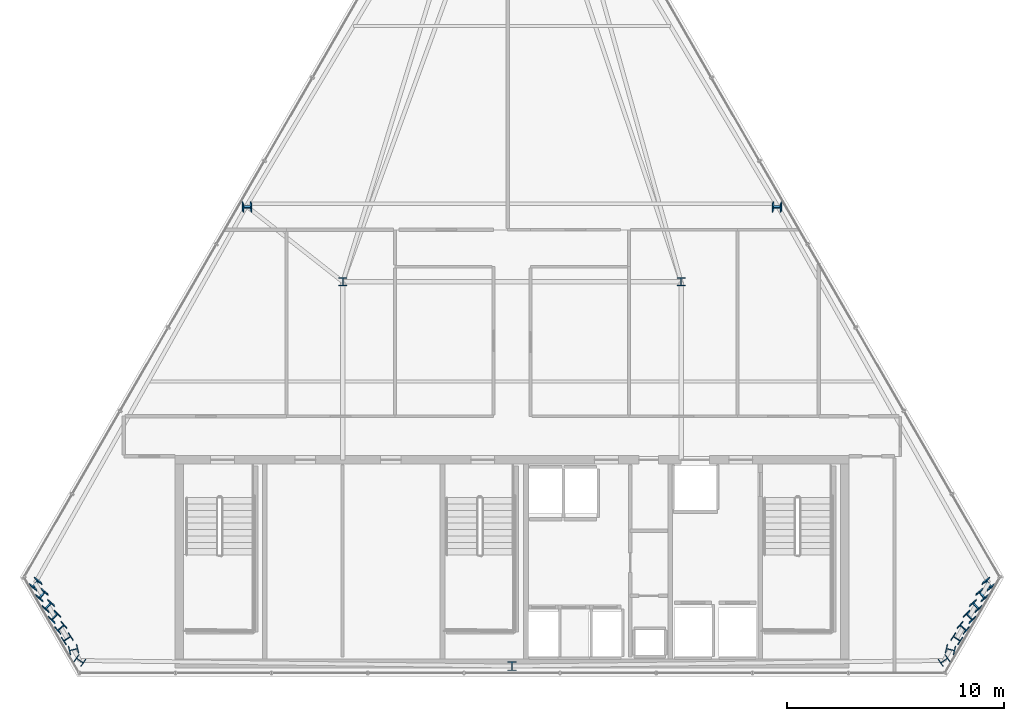
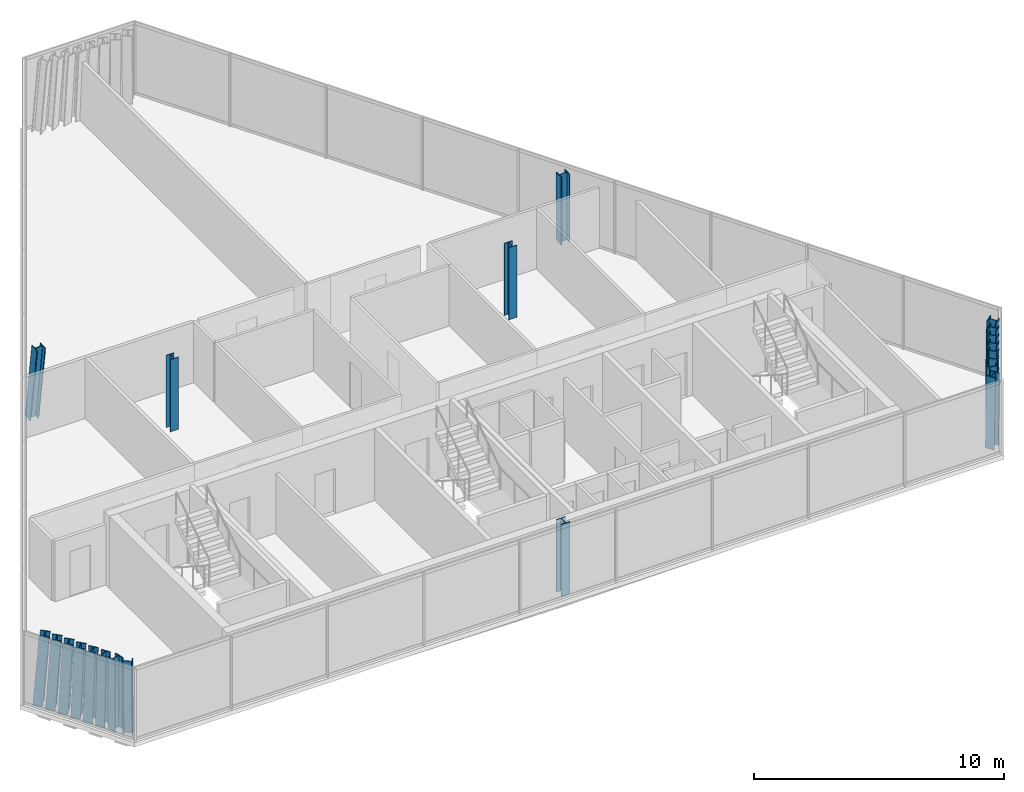
# One storey, part 1 of 35: 21 columns.
"""IFC4 building model written with IfcOpenShell, lengths in metres."""

from ifc_helpers import new_model, si_unit, direction, frame, origin, origin_2d, place, context, subcontext, project, spatial, i_section, extrude, material, material_profile, profile_set, type_object, element, save


model = new_model("IFC4")

# Units and contexts
model_context = context("Model", 3, precision=1e-05, world=origin(), true_north=direction((0.0, 1.0)))
body_context = subcontext(model_context, "Body", "Model", "MODEL_VIEW")
ifc_project = project(units=[si_unit("LENGTHUNIT", "METRE"), si_unit("AREAUNIT", "SQUARE_METRE"), si_unit("VOLUMEUNIT", "CUBIC_METRE"), si_unit("PLANEANGLEUNIT", "RADIAN"), si_unit("MASSUNIT", "GRAM", prefix="KILO")], contexts=[model_context])

# Site, building, storey
site_placement = place(None, origin())
site = spatial("IfcSite", under=ifc_project, at=site_placement, CompositionType="ELEMENT")
building_placement = place(site_placement, origin())
building = spatial("IfcBuilding", under=site, at=building_placement, Name="Ndaravel Arena Tower", CompositionType="ELEMENT")
storey_placement = place(building_placement, frame((0.0, 0.0, 275.0)))
storey = spatial("IfcBuildingStorey", under=building, at=storey_placement, Name="L67", CompositionType="ELEMENT", Elevation=275.0)

# Columns
ifc_material_1 = material(Name="Steel S355", Category="steel")
ifc_material_profile_1 = material_profile(ifc_material_1, i_section(OverallWidth=0.374755859375, OverallDepth=0.37451171875, WebThickness=0.0166015625, FlangeThickness=0.027099609375, FilletRadius=0.01513671875, at=origin_2d()), Name="UC 356x368x202")
ifc_profile_set_1 = profile_set([ifc_material_profile_1], Name="Steel S355")
column_type_1 = type_object("IfcColumnType", Name="COL-CRN-UC202", PredefinedType="COLUMN", material=ifc_profile_set_1)
for number, where, z_axis, x_axis, name in (
    (1, (34.199951171875, 23.199951171875, 0.0), (0.0, 0.0, 1.0), (1.0, 0.0, 0.0), "L67 Interior Spine Column IC-01"),
    (2, (49.800048828125, 23.199951171875, 0.0), (0.0, 0.0, 1.0), (1.0, 0.0, 0.0), "L67 Interior Spine Column IC-02"),
):
    element("IfcColumn", number, at=place(storey_placement, frame(where, z_axis=z_axis, x_axis=x_axis)), inside=storey, type_object=column_type_1, Name=name, PredefinedType="COLUMN", context=body_context, shape_type="SweptSolid", body=[
        extrude(i_section(OverallWidth=0.374755859375, OverallDepth=0.37451171875, WebThickness=0.0166015625, FlangeThickness=0.027099609375, FilletRadius=0.01513671875, at=origin_2d()), origin(), (0.0, 0.0, 1.0), 3.52001953125),
    ])
ifc_material_2 = material(Name="Steel S355", Category="steel")
ifc_material_profile_2 = material_profile(ifc_material_2, i_section(OverallWidth=0.406005859375, OverallDepth=0.416015625, WebThickness=0.02978515625, FlangeThickness=0.03662109375, FilletRadius=0.014892578125, at=origin_2d()), Name="HD 400x382")
ifc_profile_set_2 = profile_set([ifc_material_profile_2], Name="Steel S355")
column_type_2 = type_object("IfcColumnType", Name="COL-TUBE-HD382", PredefinedType="COLUMN", material=ifc_profile_set_2)
column_1_placement = place(storey_placement, frame((42.0, 5.47998046875, 0.0), z_axis=(0.0, 0.0, 1.0), x_axis=(1.0, 0.0, 0.0)))
element("IfcColumn", 3, at=column_1_placement, inside=storey, type_object=column_type_2, Name="L67 Framed Tube Column TC-01", PredefinedType="COLUMN", context=body_context, shape_type="SweptSolid", body=[
    extrude(i_section(OverallWidth=0.406005859375, OverallDepth=0.416015625, WebThickness=0.02978515625, FlangeThickness=0.03662109375, FilletRadius=0.014892578125, at=origin_2d()), origin(), (0.0, 0.0, 1.0), 3.52001953125),
])
column_2_placement = place(storey_placement, frame((61.921875, 5.735595703125, 0.0), z_axis=(0.011581784156, -0.005617512076, 0.999917149485), x_axis=(-0.560938958584, 0.827782105459, 0.011147673507)))
element("IfcColumn", 4, at=column_2_placement, inside=storey, type_object=column_type_2, Name="L67 Framed Tube Column TC-02", PredefinedType="COLUMN", context=body_context, shape_type="SweptSolid", body=[
    extrude(i_section(OverallWidth=0.406005859375, OverallDepth=0.416015625, WebThickness=0.02978515625, FlangeThickness=0.03662109375, FilletRadius=0.014892578125, at=origin_2d()), origin(), (0.0, 0.0, 1.0), 3.520263671875),
])
column_3_placement = place(storey_placement, frame((62.216796875, 6.246337890625, 0.0), z_axis=(0.005131682914, -0.016781990071, 0.999846003462), x_axis=(0.224941540665, 0.974253727867, 0.015197928155)))
element("IfcColumn", 5, at=column_3_placement, inside=storey, type_object=column_type_2, Name="L67 Framed Tube Column TC-03", PredefinedType="COLUMN", context=body_context, shape_type="SweptSolid", body=[
    extrude(i_section(OverallWidth=0.406005859375, OverallDepth=0.416015625, WebThickness=0.02978515625, FlangeThickness=0.03662109375, FilletRadius=0.014892578125, at=origin_2d()), origin(), (0.0, 0.0, 1.0), 3.5205078125),
])
column_4_placement = place(storey_placement, frame((62.511962890625, 6.75732421875, 0.0), z_axis=(-0.00138660937, -0.028009509279, 0.999606695008), x_axis=(0.542191703835, 0.839903753308, 0.02428665213)))
element("IfcColumn", 6, at=column_4_placement, inside=storey, type_object=column_type_2, Name="L67 Framed Tube Column TC-04", PredefinedType="COLUMN", context=body_context, shape_type="SweptSolid", body=[
    extrude(i_section(OverallWidth=0.406005859375, OverallDepth=0.416015625, WebThickness=0.02978515625, FlangeThickness=0.03662109375, FilletRadius=0.014892578125, at=origin_2d()), origin(), (0.0, 0.0, 1.0), 3.521484375),
])
column_5_placement = place(storey_placement, frame((62.806884765625, 7.268310546875, 0.0), z_axis=(-0.007831153253, -0.039225068506, 0.99919971329), x_axis=(0.65974093121, 0.750694314596, 0.034640290421)))
element("IfcColumn", 7, at=column_5_placement, inside=storey, type_object=column_type_2, Name="L67 Framed Tube Column TC-05", PredefinedType="COLUMN", context=body_context, shape_type="SweptSolid", body=[
    extrude(i_section(OverallWidth=0.406005859375, OverallDepth=0.416015625, WebThickness=0.02978515625, FlangeThickness=0.03662109375, FilletRadius=0.014892578125, at=origin_2d()), origin(), (0.0, 0.0, 1.0), 3.52294921875),
])
column_6_placement = place(storey_placement, frame((63.101806640625, 7.779296875, 0.0), z_axis=(-0.014268064992, -0.050423064632, 0.998626024533), x_axis=(0.716583758046, 0.696023110507, 0.045382235997)))
element("IfcColumn", 8, at=column_6_placement, inside=storey, type_object=column_type_2, Name="L67 Framed Tube Column TC-06", PredefinedType="COLUMN", context=body_context, shape_type="SweptSolid", body=[
    extrude(i_section(OverallWidth=0.406005859375, OverallDepth=0.416015625, WebThickness=0.02978515625, FlangeThickness=0.03662109375, FilletRadius=0.014892578125, at=origin_2d()), origin(), (0.0, 0.0, 1.0), 3.52490234375),
])
column_7_placement = place(storey_placement, frame((63.39697265625, 8.290283203125, 0.0), z_axis=(-0.020763317909, -0.061597843129, 0.997885058687), x_axis=(0.749847531911, 0.659211363411, 0.05629438015)))
element("IfcColumn", 9, at=column_7_placement, inside=storey, type_object=column_type_2, Name="L67 Framed Tube Column TC-07", PredefinedType="COLUMN", context=body_context, shape_type="SweptSolid", body=[
    extrude(i_section(OverallWidth=0.406005859375, OverallDepth=0.416015625, WebThickness=0.02978515625, FlangeThickness=0.03662109375, FilletRadius=0.014892578125, at=origin_2d()), origin(), (0.0, 0.0, 1.0), 3.527587890625),
])
column_8_placement = place(storey_placement, frame((63.69189453125, 8.80126953125, 0.0), z_axis=(-0.027175422808, -0.072675240131, 0.996985358903), x_axis=(0.770735243649, 0.633602429445, 0.067194833132)))
element("IfcColumn", 10, at=column_8_placement, inside=storey, type_object=column_type_2, Name="L67 Framed Tube Column TC-08", PredefinedType="COLUMN", context=body_context, shape_type="SweptSolid", body=[
    extrude(i_section(OverallWidth=0.406005859375, OverallDepth=0.416015625, WebThickness=0.02978515625, FlangeThickness=0.03662109375, FilletRadius=0.014892578125, at=origin_2d()), origin(), (0.0, 0.0, 1.0), 3.53076171875),
])
column_9_placement = place(storey_placement, frame((63.98681640625, 9.312255859375, 0.0), z_axis=(-0.033570270082, -0.083787525944, 0.99591801242), x_axis=(0.784908715569, 0.614660738798, 0.078169587455)))
element("IfcColumn", 11, at=column_9_placement, inside=storey, type_object=column_type_2, Name="L67 Framed Tube Column TC-09", PredefinedType="COLUMN", context=body_context, shape_type="SweptSolid", body=[
    extrude(i_section(OverallWidth=0.406005859375, OverallDepth=0.416015625, WebThickness=0.02978515625, FlangeThickness=0.03662109375, FilletRadius=0.014892578125, at=origin_2d()), origin(), (0.0, 0.0, 1.0), 3.534423828125),
])
for number, where, z_axis, x_axis, name in (
    (12, (54.247314453125, 26.69287109375, 0.0), (-0.044283895731, -0.076615975609, 0.996076768558), (-0.001214429121, 0.997058284057, 0.076637480091), "L67 Framed Tube Column TC-10"),
    (13, (29.752685546875, 26.69287109375, 0.0), (0.044283895731, -0.076615975609, 0.996076768558), (0.001214429121, 0.997058284057, 0.076637480091), "L67 Framed Tube Column TC-19"),
):
    element("IfcColumn", number, at=place(storey_placement, frame(where, z_axis=z_axis, x_axis=x_axis)), inside=storey, type_object=column_type_2, Name=name, PredefinedType="COLUMN", context=body_context, shape_type="SweptSolid", body=[
        extrude(i_section(OverallWidth=0.406005859375, OverallDepth=0.416015625, WebThickness=0.02978515625, FlangeThickness=0.03662109375, FilletRadius=0.014892578125, at=origin_2d()), origin(), (0.0, 0.0, 1.0), 3.533935546875),
    ])
column_10_placement = place(storey_placement, frame((20.01318359375, 9.312255859375, 0.0), z_axis=(0.033570270082, -0.083787525944, 0.99591801242), x_axis=(-0.784908715569, 0.614660738798, 0.078169587455)))
element("IfcColumn", 14, at=column_10_placement, inside=storey, type_object=column_type_2, Name="L67 Framed Tube Column TC-20", PredefinedType="COLUMN", context=body_context, shape_type="SweptSolid", body=[
    extrude(i_section(OverallWidth=0.406005859375, OverallDepth=0.416015625, WebThickness=0.02978515625, FlangeThickness=0.03662109375, FilletRadius=0.014892578125, at=origin_2d()), origin(), (0.0, 0.0, 1.0), 3.534423828125),
])
column_11_placement = place(storey_placement, frame((20.30810546875, 8.80126953125, 0.0), z_axis=(0.027175422808, -0.072675240131, 0.996985358903), x_axis=(-0.770735243649, 0.633602429445, 0.067194833132)))
element("IfcColumn", 15, at=column_11_placement, inside=storey, type_object=column_type_2, Name="L67 Framed Tube Column TC-21", PredefinedType="COLUMN", context=body_context, shape_type="SweptSolid", body=[
    extrude(i_section(OverallWidth=0.406005859375, OverallDepth=0.416015625, WebThickness=0.02978515625, FlangeThickness=0.03662109375, FilletRadius=0.014892578125, at=origin_2d()), origin(), (0.0, 0.0, 1.0), 3.53076171875),
])
column_12_placement = place(storey_placement, frame((20.60302734375, 8.290283203125, 0.0), z_axis=(0.020763317909, -0.061597843129, 0.997885058687), x_axis=(-0.749847531911, 0.659211363411, 0.05629438015)))
element("IfcColumn", 16, at=column_12_placement, inside=storey, type_object=column_type_2, Name="L67 Framed Tube Column TC-22", PredefinedType="COLUMN", context=body_context, shape_type="SweptSolid", body=[
    extrude(i_section(OverallWidth=0.406005859375, OverallDepth=0.416015625, WebThickness=0.02978515625, FlangeThickness=0.03662109375, FilletRadius=0.014892578125, at=origin_2d()), origin(), (0.0, 0.0, 1.0), 3.527587890625),
])
column_13_placement = place(storey_placement, frame((20.898193359375, 7.779296875, 0.0), z_axis=(0.014268064992, -0.050423064632, 0.998626024533), x_axis=(-0.716583758046, 0.696023110507, 0.045382235997)))
element("IfcColumn", 17, at=column_13_placement, inside=storey, type_object=column_type_2, Name="L67 Framed Tube Column TC-23", PredefinedType="COLUMN", context=body_context, shape_type="SweptSolid", body=[
    extrude(i_section(OverallWidth=0.406005859375, OverallDepth=0.416015625, WebThickness=0.02978515625, FlangeThickness=0.03662109375, FilletRadius=0.014892578125, at=origin_2d()), origin(), (0.0, 0.0, 1.0), 3.52490234375),
])
column_14_placement = place(storey_placement, frame((21.193115234375, 7.268310546875, 0.0), z_axis=(0.007831153253, -0.039225068506, 0.99919971329), x_axis=(-0.65974093121, 0.750694314596, 0.034640290421)))
element("IfcColumn", 18, at=column_14_placement, inside=storey, type_object=column_type_2, Name="L67 Framed Tube Column TC-24", PredefinedType="COLUMN", context=body_context, shape_type="SweptSolid", body=[
    extrude(i_section(OverallWidth=0.406005859375, OverallDepth=0.416015625, WebThickness=0.02978515625, FlangeThickness=0.03662109375, FilletRadius=0.014892578125, at=origin_2d()), origin(), (0.0, 0.0, 1.0), 3.52294921875),
])
column_15_placement = place(storey_placement, frame((21.488037109375, 6.75732421875, 0.0), z_axis=(0.00138660937, -0.028009509279, 0.999606695008), x_axis=(-0.542191703835, 0.839903753308, 0.02428665213)))
element("IfcColumn", 19, at=column_15_placement, inside=storey, type_object=column_type_2, Name="L67 Framed Tube Column TC-25", PredefinedType="COLUMN", context=body_context, shape_type="SweptSolid", body=[
    extrude(i_section(OverallWidth=0.406005859375, OverallDepth=0.416015625, WebThickness=0.02978515625, FlangeThickness=0.03662109375, FilletRadius=0.014892578125, at=origin_2d()), origin(), (0.0, 0.0, 1.0), 3.521484375),
])
column_16_placement = place(storey_placement, frame((21.783203125, 6.246337890625, 0.0), z_axis=(-0.005131682914, -0.016781990071, 0.999846003462), x_axis=(-0.224941540665, 0.974253727867, 0.015197928155)))
element("IfcColumn", 20, at=column_16_placement, inside=storey, type_object=column_type_2, Name="L67 Framed Tube Column TC-26", PredefinedType="COLUMN", context=body_context, shape_type="SweptSolid", body=[
    extrude(i_section(OverallWidth=0.406005859375, OverallDepth=0.416015625, WebThickness=0.02978515625, FlangeThickness=0.03662109375, FilletRadius=0.014892578125, at=origin_2d()), origin(), (0.0, 0.0, 1.0), 3.5205078125),
])
column_17_placement = place(storey_placement, frame((22.078125, 5.735595703125, 0.0), z_axis=(-0.011581784156, -0.005617512076, 0.999917149485), x_axis=(0.560938958584, 0.827782105459, 0.011147673507)))
element("IfcColumn", 21, at=column_17_placement, inside=storey, type_object=column_type_2, Name="L67 Framed Tube Column TC-27", PredefinedType="COLUMN", context=body_context, shape_type="SweptSolid", body=[
    extrude(i_section(OverallWidth=0.406005859375, OverallDepth=0.416015625, WebThickness=0.02978515625, FlangeThickness=0.03662109375, FilletRadius=0.014892578125, at=origin_2d()), origin(), (0.0, 0.0, 1.0), 3.520263671875),
])

save(model, "model.ifc")
